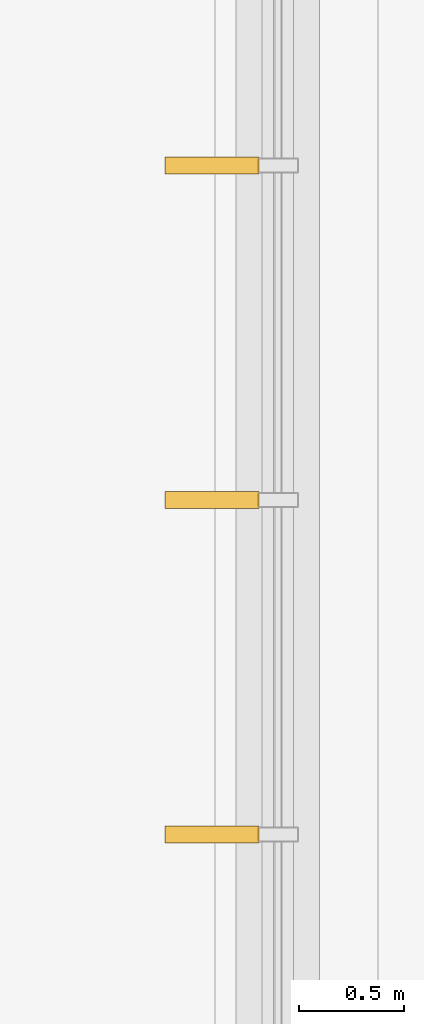
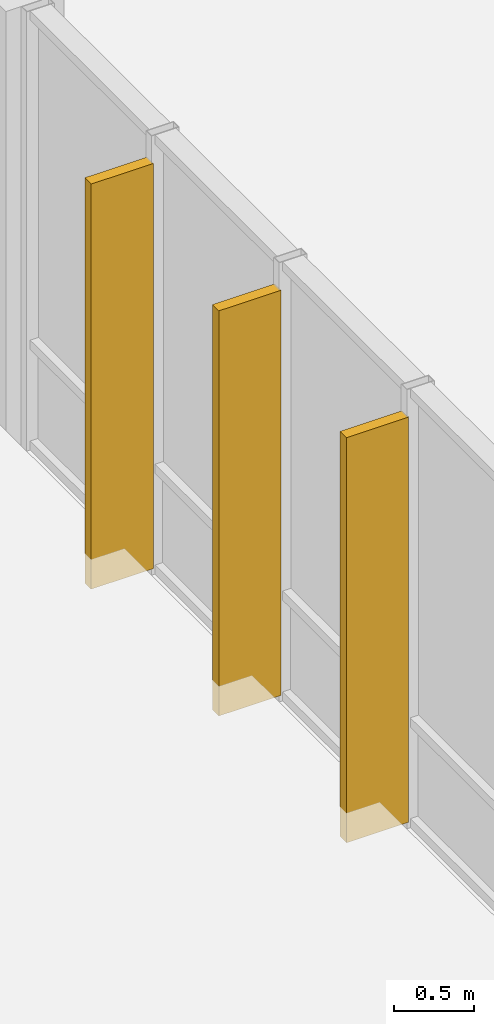
# One storey, part 213 of 233: 3 shading devices.
"""IFC4 building model written with IfcOpenShell, lengths in metres."""

from ifc_helpers import new_model, si_unit, direction, frame, origin, origin_2d, place, context, subcontext, project, spatial, rectangle, extrude, material, type_object, element, save


model = new_model("IFC4")

# Units and contexts
model_context = context("Model", 3, precision=1e-05, world=origin(), true_north=direction((0.0, 1.0)))
body_context = subcontext(model_context, "Body", "Model", "MODEL_VIEW")
ifc_project = project(units=[si_unit("LENGTHUNIT", "METRE"), si_unit("AREAUNIT", "SQUARE_METRE"), si_unit("VOLUMEUNIT", "CUBIC_METRE"), si_unit("PLANEANGLEUNIT", "RADIAN"), si_unit("MASSUNIT", "GRAM", prefix="KILO")], contexts=[model_context])

# Site, building, storey
site_placement = place(None, origin())
site = spatial("IfcSite", under=ifc_project, at=site_placement, CompositionType="ELEMENT")
building_placement = place(site_placement, origin())
building = spatial("IfcBuilding", under=site, at=building_placement, Name="Zavelmont Quarter", CompositionType="ELEMENT")
storey_placement = place(building_placement, origin())
storey = spatial("IfcBuildingStorey", under=building, at=storey_placement, Name="L00", CompositionType="ELEMENT", Elevation=0.0)

# Shading devices
ifc_material = material(Name="Anodised aluminium EN AW-6063-T6", Category="aluminium")
shading_device_type = type_object("IfcShadingDeviceType", Name="SD02", PredefinedType="JALOUSIE", material=ifc_material)
for number, where, z_axis, x_axis, name in (
    (1, (54.885009765625, 32.39990234375, 0.050048828125), (0.0, 0.0, 1.0), (0.0, 1.0, 0.0), "L00 solar brise-soleil fin SD02"),
    (2, (54.885009765625, 34.0, 0.050048828125), (0.0, 0.0, 1.0), (0.0, 1.0, 0.0), "L00 solar brise-soleil fin SD02"),
    (3, (54.885009765625, 35.60009765625, 0.050048828125), (0.0, 0.0, 1.0), (0.0, 1.0, 0.0), "L00 solar brise-soleil fin SD02"),
):
    element("IfcShadingDevice", number, at=place(storey_placement, frame(where, z_axis=z_axis, x_axis=x_axis)), inside=storey, type_object=shading_device_type, Name=name, PredefinedType="JALOUSIE", context=body_context, shape_type="SweptSolid", body=[
        extrude(rectangle(XDim=0.080078125, YDim=0.449951171875, at=origin_2d()), origin(), (0.0, 0.0, 1.0), 3.10009765625),
    ])

save(model, "model.ifc")
